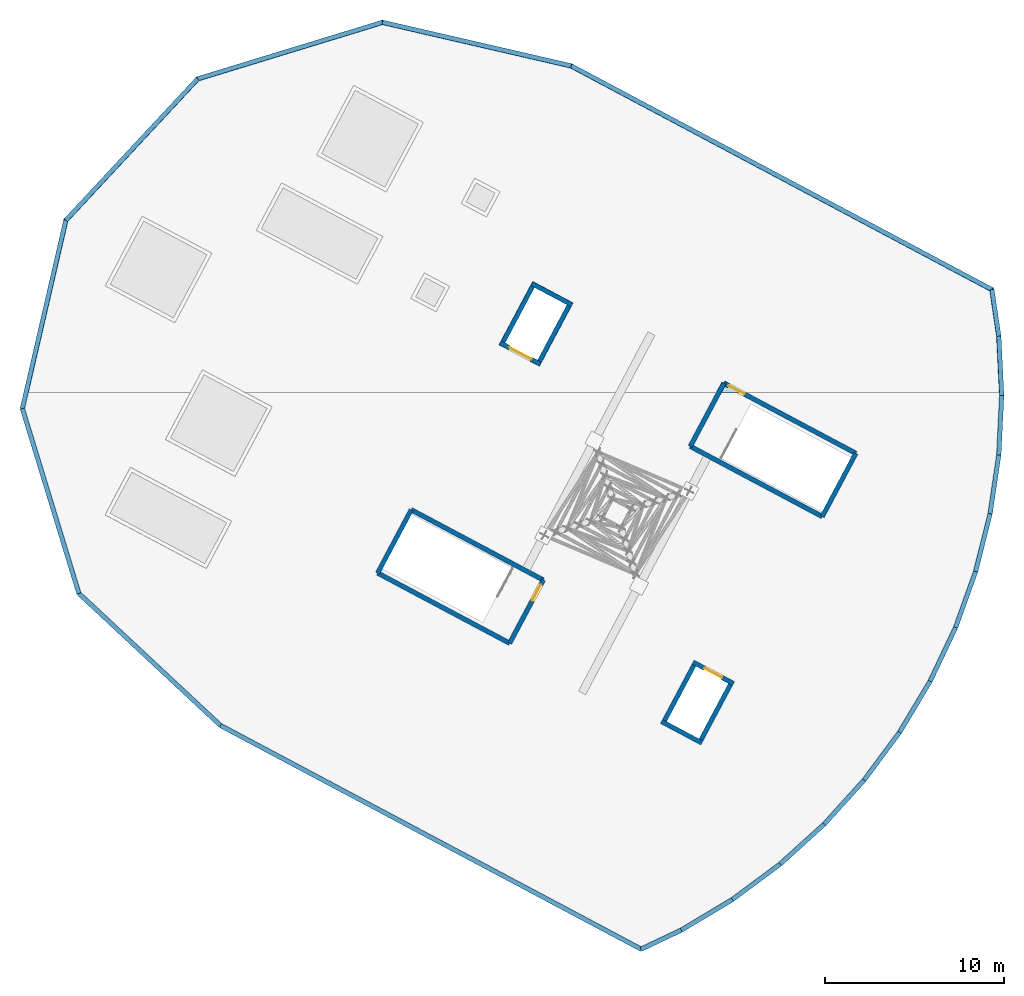
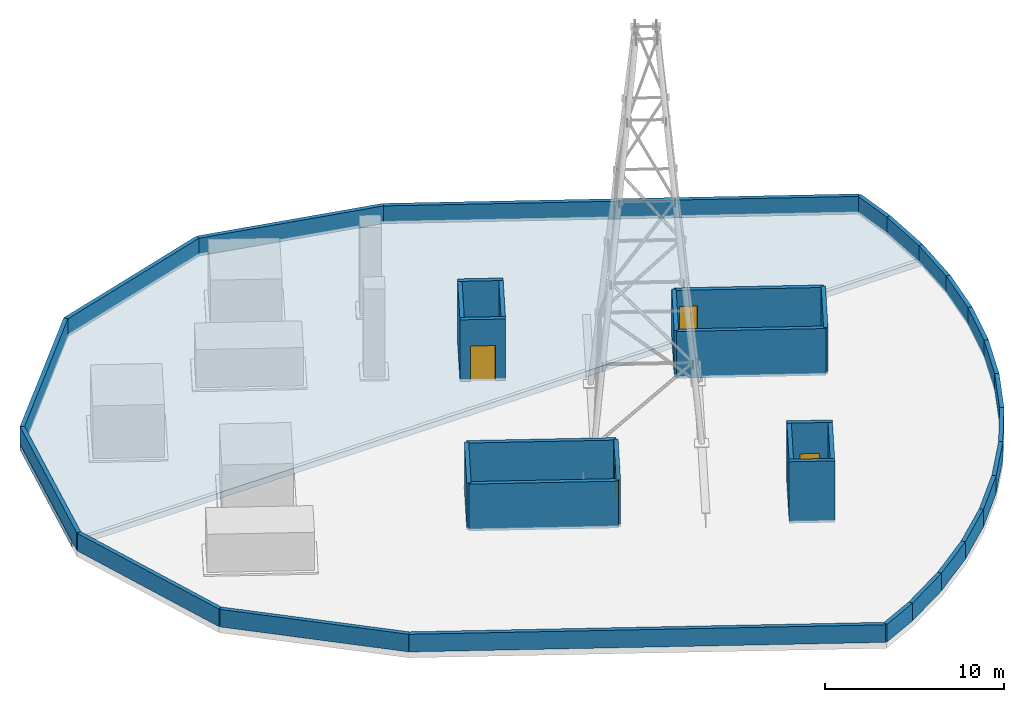
# One storey, part 2 of 5: 38 walls, 4 doors, 1 slab, 4 openings.
"""IFC4 building model written with IfcOpenShell, lengths in metres."""

from ifc_helpers import new_model, si_unit, direction, frame, frame_2d, origin, place, context, subcontext, project, spatial, polyline, rectangle, outline, extrude, material, layer, layer_set, type_object, element, fill, save


model = new_model("IFC4")

# Units and contexts
model_context = context("Model", 3, precision=1e-05, world=origin(), true_north=direction((0.0, 1.0)))
body_context = subcontext(model_context, "Body", "Model", "MODEL_VIEW")
ifc_project = project(units=[si_unit("LENGTHUNIT", "METRE"), si_unit("AREAUNIT", "SQUARE_METRE"), si_unit("VOLUMEUNIT", "CUBIC_METRE"), si_unit("PLANEANGLEUNIT", "RADIAN"), si_unit("MASSUNIT", "GRAM", prefix="KILO")], contexts=[model_context])

# Site, building, storey
site_placement = place(None, origin())
site = spatial("IfcSite", under=ifc_project, at=site_placement, CompositionType="ELEMENT")
building_placement = place(site_placement, origin())
building = spatial("IfcBuilding", under=site, at=building_placement, Name="Cormorant Relay Tower", CompositionType="ELEMENT")
storey_placement = place(building_placement, frame((0.0, 0.0, 357.60009765625)))
storey = spatial("IfcBuildingStorey", under=building, at=storey_placement, Name="RF", CompositionType="ELEMENT", Elevation=357.60009765625)

# Slab
ifc_material_1 = material(Name="Concrete 40 MPa", Category="concrete")
ifc_layer_1 = layer(ifc_material_1, 0.400146484375)
ifc_layer_set_1 = layer_set([ifc_layer_1], Name="Crown terrace roof slab 400")
slab_type = type_object("IfcSlabType", Name="Crown terrace roof slab 400", PredefinedType="ROOF", material=ifc_layer_set_1)
slab_placement = place(storey_placement, frame((0.0, 0.0, -0.400390625)))
element("IfcSlab", 1, at=slab_placement, inside=storey, type_object=slab_type, Name="Roof RF", PredefinedType="ROOF", context=body_context, shape_type="SweptSolid", body=[
    extrude(outline(polyline([(-60.510498046875, 21.300048828125), (-5.7412109375, 21.300048828125), (-5.896484375, 24.458740234375), (-6.29248046875, 27.1298828125), (-29.873779296875, 39.668212890625), (-40.465576171875, 42.11328125), (-50.86083984375, 38.935302734375), (-58.2744140625, 30.985107421875), (-60.510498046875, 21.300048828125)]), holes=[polyline([(-29.986083984375, 26.250244140625), (-32.01708984375, 27.330078125), (-33.777587890625, 24.01904296875), (-31.74658203125, 22.939208984375), (-29.986083984375, 26.250244140625)])]), origin(), (0.0, 0.0, 1.0), 0.400390625),
])

# Wall, opening, door
ifc_material_2 = material(Name="Bronze cladding on Concrete 30 MPa block wall", Category="concrete")
ifc_layer_2 = layer(ifc_material_2, 0.25)
ifc_layer_set_2 = layer_set([ifc_layer_2], Name="Crown wall 250")
wall_type_1 = type_object("IfcWallType", Name="Crown wall 250", PredefinedType="STANDARD", material=ifc_layer_set_2)
wall_1_placement = place(storey_placement, frame((-21.385009765625, 21.818603515625, 0.0), z_axis=(0.0, 0.0, 1.0), x_axis=(0.882948721512, -0.469469440091, 0.0)))
wall_1 = element("IfcWall", 2, at=wall_1_placement, inside=storey, type_object=wall_type_1, Name="Stair head-house wall", PredefinedType="STANDARD", context=body_context, shape_type="SweptSolid", body=[
    extrude(rectangle(XDim=8.35009765625, YDim=0.25, at=frame_2d((4.175048828125, 0.0))), origin(), (0.0, 0.0, 1.0), 3.19970703125),
])
opening_1_placement = place(wall_1_placement, frame((0.300048828125, 0.0, 0.0)))
opening_1 = element("IfcOpeningElement", 3, at=opening_1_placement, cuts=wall_1, Name="Opening CRD1-016", PredefinedType="OPENING", context=body_context, shape_type="SweptSolid", body=[
    extrude(rectangle(XDim=1.0, YDim=2.10009765625, at=frame_2d((0.5, 1.050048828125))), frame((0.0, 0.135009765625, 0.0), z_axis=(0.0, -1.0, 0.0), x_axis=(1.0, 0.0, 0.0)), (0.0, 0.0, 1.0), 0.27001953125),
])
ifc_material_3 = material(Name="Galvanised sheet steel ASTM A653 framed door leaf", Category="steel")
door_type_1 = type_object("IfcDoorType", Name="Crown door single 1000", OperationType="SINGLE_SWING_LEFT", PredefinedType="DOOR", material=ifc_material_3)
door_1_placement = place(opening_1_placement, origin())
door_1 = element("IfcDoor", 4, at=door_1_placement, inside=storey, type_object=door_type_1, Name="Roof access door", OperationType="SINGLE_SWING_RIGHT", OverallHeight=2.10009765625, OverallWidth=1.0, PredefinedType="DOOR", context=body_context, shape_type="SweptSolid", body=[
    extrude(rectangle(XDim=1.0, YDim=2.10009765625, at=frame_2d((0.5, 1.050048828125))), frame((0.0, 0.02490234375, 0.0), z_axis=(0.0, -1.0, 0.0), x_axis=(1.0, 0.0, 0.0)), (0.0, 0.0, 1.0), 0.050048828125),
])
fill(opening_1, door_1)

# Walls
wall_2_placement = place(storey_placement, frame((-14.01220703125, 17.8984375, 0.0), z_axis=(0.0, 0.0, 1.0), x_axis=(-0.469485426614, -0.882940221191, 0.0)))
element("IfcWall", 5, at=wall_2_placement, inside=storey, type_object=wall_type_1, Name="Stair head-house wall", PredefinedType="STANDARD", context=body_context, shape_type="SweptSolid", body=[
    extrude(rectangle(XDim=4.0, YDim=0.25, at=frame_2d((2.0, 0.0))), origin(), (0.0, 0.0, 1.0), 3.19970703125),
])
wall_3_placement = place(storey_placement, frame((-15.89013671875, 14.36669921875, 0.0), z_axis=(0.0, 0.0, 1.0), x_axis=(-0.882960840913, 0.469446645972, 0.0)))
element("IfcWall", 6, at=wall_3_placement, inside=storey, type_object=wall_type_1, Name="Stair head-house wall", PredefinedType="STANDARD", context=body_context, shape_type="SweptSolid", body=[
    extrude(rectangle(XDim=8.35009765625, YDim=0.25, at=frame_2d((4.175048828125, 0.0))), origin(), (0.0, 0.0, 1.0), 3.19970703125),
])
wall_4_placement = place(storey_placement, frame((-23.262939453125, 18.28662109375, 0.0), z_axis=(0.0, 0.0, 1.0), x_axis=(0.469460126868, 0.882953673349, 0.0)))
element("IfcWall", 7, at=wall_4_placement, inside=storey, type_object=wall_type_1, Name="Stair head-house wall", PredefinedType="STANDARD", context=body_context, shape_type="SweptSolid", body=[
    extrude(rectangle(XDim=4.000244140625, YDim=0.25, at=frame_2d((2.0, 0.0))), origin(), (0.0, 0.0, 1.0), 3.19970703125),
])
wall_5_placement = place(storey_placement, frame((-38.8525390625, 14.740478515625, 0.0), z_axis=(0.0, 0.0, 1.0), x_axis=(0.882960840913, -0.469446645972, 0.0)))
element("IfcWall", 8, at=wall_5_placement, inside=storey, type_object=wall_type_1, Name="Stair head-house wall", PredefinedType="STANDARD", context=body_context, shape_type="SweptSolid", body=[
    extrude(rectangle(XDim=8.35009765625, YDim=0.25, at=frame_2d((4.175048828125, 0.0))), origin(), (0.0, 0.0, 1.0), 3.19970703125),
])

# Wall, opening, door
wall_6_placement = place(storey_placement, frame((-31.479736328125, 10.820556640625, 0.0), z_axis=(0.0, 0.0, 1.0), x_axis=(-0.46950770601, -0.882928374217, 0.0)))
wall_6 = element("IfcWall", 9, at=wall_6_placement, inside=storey, type_object=wall_type_1, Name="Stair head-house wall", PredefinedType="STANDARD", context=body_context, shape_type="SweptSolid", body=[
    extrude(rectangle(XDim=4.000244140625, YDim=0.25, at=frame_2d((2.0, 0.0))), origin(), (0.0, 0.0, 1.0), 3.19970703125),
])
opening_2_placement = place(wall_6_placement, frame((0.300048828125, 0.0, 0.0)))
opening_2 = element("IfcOpeningElement", 10, at=opening_2_placement, cuts=wall_6, Name="Opening CRD1-017", PredefinedType="OPENING", context=body_context, shape_type="SweptSolid", body=[
    extrude(rectangle(XDim=1.0, YDim=2.10009765625, at=frame_2d((0.5, 1.050048828125))), frame((0.0, 0.135009765625, 0.0), z_axis=(0.0, -1.0, 0.0), x_axis=(1.0, 0.0, 0.0)), (0.0, 0.0, 1.0), 0.27001953125),
])
door_2_placement = place(opening_2_placement, origin())
door_2 = element("IfcDoor", 11, at=door_2_placement, inside=storey, type_object=door_type_1, Name="Roof access door", OperationType="SINGLE_SWING_LEFT", OverallHeight=2.10009765625, OverallWidth=1.0, PredefinedType="DOOR", context=body_context, shape_type="SweptSolid", body=[
    extrude(rectangle(XDim=1.0, YDim=2.10009765625, at=frame_2d((0.5, 1.050048828125))), frame((0.0, 0.02490234375, 0.0), z_axis=(0.0, -1.0, 0.0), x_axis=(1.0, 0.0, 0.0)), (0.0, 0.0, 1.0), 0.050048828125),
])
fill(opening_2, door_2)

# Walls
wall_7_placement = place(storey_placement, frame((-33.35791015625, 7.28857421875, 0.0), z_axis=(0.0, 0.0, 1.0), x_axis=(-0.882942277232, 0.469481559889, 0.0)))
element("IfcWall", 12, at=wall_7_placement, inside=storey, type_object=wall_type_1, Name="Stair head-house wall", PredefinedType="STANDARD", context=body_context, shape_type="SweptSolid", body=[
    extrude(rectangle(XDim=8.35009765625, YDim=0.25, at=frame_2d((4.175048828125, 0.0))), origin(), (0.0, 0.0, 1.0), 3.19970703125),
])
wall_8_placement = place(storey_placement, frame((-40.73046875, 11.208740234375, 0.0), z_axis=(0.0, 0.0, 1.0), x_axis=(0.469485426614, 0.882940221191, 0.0)))
element("IfcWall", 13, at=wall_8_placement, inside=storey, type_object=wall_type_1, Name="Stair head-house wall", PredefinedType="STANDARD", context=body_context, shape_type="SweptSolid", body=[
    extrude(rectangle(XDim=4.0, YDim=0.25, at=frame_2d((2.0, 0.0))), origin(), (0.0, 0.0, 1.0), 3.19970703125),
])

# Wall, opening, door
ifc_material_4 = material(Name="Concrete 50 MPa", Category="concrete")
ifc_layer_3 = layer(ifc_material_4, 0.25)
ifc_layer_set_3 = layer_set([ifc_layer_3], Name="Lift overrun wall 250")
wall_type_2 = type_object("IfcWallType", Name="Lift overrun wall 250", PredefinedType="SOLIDWALL", material=ifc_layer_set_3)
wall_9_placement = place(storey_placement, frame((-20.85498046875, 5.029541015625, 0.0), z_axis=(0.0, 0.0, 1.0), x_axis=(-0.882964435156, 0.469439885661, 0.0)))
wall_9 = element("IfcWall", 14, at=wall_9_placement, inside=storey, type_object=wall_type_2, Name="Lift overrun wall", PredefinedType="SOLIDWALL", context=body_context, shape_type="SweptSolid", body=[
    extrude(rectangle(XDim=2.5498046875, YDim=0.25, at=frame_2d((1.27490234375, 0.0))), origin(), (0.0, 0.0, 1.0), 4.199951171875),
])
opening_3_placement = place(wall_9_placement, frame((0.72509765625, 0.0, 0.0)))
opening_3 = element("IfcOpeningElement", 15, at=opening_3_placement, cuts=wall_9, Name="Opening LD1-070", PredefinedType="OPENING", context=body_context, shape_type="SweptSolid", body=[
    extrude(rectangle(XDim=1.10009765625, YDim=2.10009765625, at=frame_2d((0.550048828125, 1.050048828125))), frame((0.0, 0.135009765625, 0.0), z_axis=(0.0, -1.0, 0.0), x_axis=(1.0, 0.0, 0.0)), (0.0, 0.0, 1.0), 0.27001953125),
])
ifc_material_5 = material(Name="Stainless steel 316", Category="steel")
door_type_2 = type_object("IfcDoorType", Name="Lift landing door 1100x2100", OperationType="DOUBLE_DOOR_SLIDING", PredefinedType="DOOR", material=ifc_material_5)
door_3_placement = place(opening_3_placement, origin())
door_3 = element("IfcDoor", 16, at=door_3_placement, inside=storey, type_object=door_type_2, Name="FF1 landing door", OperationType="DOUBLE_DOOR_SLIDING", OverallHeight=2.10009765625, OverallWidth=1.10009765625, PredefinedType="DOOR", context=body_context, shape_type="SweptSolid", body=[
    extrude(rectangle(XDim=1.10009765625, YDim=2.10009765625, at=frame_2d((0.550048828125, 1.050048828125))), frame((0.0, 0.02490234375, 0.0), z_axis=(0.0, -1.0, 0.0), x_axis=(1.0, 0.0, 0.0)), (0.0, 0.0, 1.0), 0.050048828125),
])
fill(opening_3, door_3)

# Walls
wall_10_placement = place(storey_placement, frame((-22.615478515625, 1.718505859375, 0.0), z_axis=(0.0, 0.0, 1.0), x_axis=(-0.882964435156, 0.469439885661, 0.0)))
element("IfcWall", 17, at=wall_10_placement, inside=storey, type_object=wall_type_2, Name="Lift overrun wall", PredefinedType="SOLIDWALL", context=body_context, shape_type="SweptSolid", body=[
    extrude(rectangle(XDim=2.5498046875, YDim=0.25, at=frame_2d((1.27490234375, 0.0))), origin(), (0.0, 0.0, 1.0), 4.199951171875),
])
for number, where, z_axis, x_axis, name in (
    (18, (-21.02392578125, 4.977783203125, 0.0), (0.0, 0.0, 1.0), (-0.469451007504, -0.882958521989, 0.0), "Lift overrun wall"),
    (19, (-23.0546875, 6.0576171875, 0.0), (0.0, 0.0, 1.0), (-0.469505386913, -0.88292960742, 0.0), "Lift overrun wall"),
):
    element("IfcWall", number, at=place(storey_placement, frame(where, z_axis=z_axis, x_axis=x_axis)), inside=storey, type_object=wall_type_2, Name=name, PredefinedType="SOLIDWALL", context=body_context, shape_type="SweptSolid", body=[
        extrude(rectangle(XDim=3.5, YDim=0.25, at=frame_2d((1.75, 0.0))), origin(), (0.0, 0.0, 1.0), 4.199951171875),
    ])
wall_11_placement = place(storey_placement, frame((-29.875732421875, 26.191650390625, 0.0), z_axis=(0.0, 0.0, 1.0), x_axis=(-0.882985532267, 0.46940020218, 0.0)))
element("IfcWall", 20, at=wall_11_placement, inside=storey, type_object=wall_type_2, Name="Lift overrun wall", PredefinedType="SOLIDWALL", context=body_context, shape_type="SweptSolid", body=[
    extrude(rectangle(XDim=2.550048828125, YDim=0.25, at=frame_2d((1.27490234375, 0.0))), origin(), (0.0, 0.0, 1.0), 4.199951171875),
])

# Wall, opening, door
wall_12_placement = place(storey_placement, frame((-31.63623046875, 22.880615234375, 0.0), z_axis=(0.0, 0.0, 1.0), x_axis=(-0.882985532267, 0.46940020218, 0.0)))
wall_12 = element("IfcWall", 21, at=wall_12_placement, inside=storey, type_object=wall_type_2, Name="Lift overrun wall", PredefinedType="SOLIDWALL", context=body_context, shape_type="SweptSolid", body=[
    extrude(rectangle(XDim=2.550048828125, YDim=0.25, at=frame_2d((1.27490234375, 0.0))), origin(), (0.0, 0.0, 1.0), 4.199951171875),
])
opening_4_placement = place(wall_12_placement, frame((0.574951171875, 0.0, 0.0)))
opening_4 = element("IfcOpeningElement", 22, at=opening_4_placement, cuts=wall_12, Name="Opening LD3-018", PredefinedType="OPENING", context=body_context, shape_type="SweptSolid", body=[
    extrude(rectangle(XDim=1.39990234375, YDim=2.39990234375, at=frame_2d((0.699951171875, 1.199951171875))), frame((0.0, 0.135009765625, 0.0), z_axis=(0.0, -1.0, 0.0), x_axis=(1.0, 0.0, 0.0)), (0.0, 0.0, 1.0), 0.27001953125),
])
ifc_material_6 = material(Name="Stainless steel 316", Category="steel")
door_type_3 = type_object("IfcDoorType", Name="Lift landing door 1400x2400", OperationType="DOUBLE_DOOR_SLIDING", PredefinedType="DOOR", material=ifc_material_6)
door_4_placement = place(opening_4_placement, origin())
door_4 = element("IfcDoor", 23, at=door_4_placement, inside=storey, type_object=door_type_3, Name="SV1 landing door", OperationType="DOUBLE_DOOR_SLIDING", OverallHeight=2.39990234375, OverallWidth=1.39990234375, PredefinedType="DOOR", context=body_context, shape_type="SweptSolid", body=[
    extrude(rectangle(XDim=1.39990234375, YDim=2.39990234375, at=frame_2d((0.699951171875, 1.199951171875))), frame((0.0, 0.02490234375, 0.0), z_axis=(0.0, -1.0, 0.0), x_axis=(1.0, 0.0, 0.0)), (0.0, 0.0, 1.0), 0.050048828125),
])
fill(opening_4, door_4)

# Walls
for number, where, z_axis, x_axis, name in (
    (24, (-30.044921875, 26.139892578125, 0.0), (0.0, 0.0, 1.0), (-0.469451007504, -0.882958521989, 0.0), "Lift overrun wall"),
    (25, (-32.07568359375, 27.2197265625, 0.0), (0.0, 0.0, 1.0), (-0.469451007504, -0.882958521989, 0.0), "Lift overrun wall"),
):
    element("IfcWall", number, at=place(storey_placement, frame(where, z_axis=z_axis, x_axis=x_axis)), inside=storey, type_object=wall_type_2, Name=name, PredefinedType="SOLIDWALL", context=body_context, shape_type="SweptSolid", body=[
        extrude(rectangle(XDim=3.5, YDim=0.25, at=frame_2d((1.75, 0.0))), origin(), (0.0, 0.0, 1.0), 4.199951171875),
    ])
ifc_material_7 = material(Name="Bronze cladding on Concrete 30 MPa block wall", Category="concrete")
ifc_layer_4 = layer(ifc_material_7, 0.25)
ifc_layer_set_4 = layer_set([ifc_layer_4], Name="Parapet 250")
wall_type_3 = type_object("IfcWallType", Name="Parapet 250", PredefinedType="PARAPET", material=ifc_layer_set_4)
for number, where, z_axis, x_axis, name in (
    (26, (-57.431884765625, 10.06640625, 0.0), (0.0, 0.0, 1.0), (-0.292379862982, 0.956302261695, 0.0), "Roof parapet"),
    (27, (-60.590576171875, 20.397705078125, 0.0), (0.0, 0.0, 1.0), (0.224943678254, 0.97437176766, 0.0), "Roof parapet"),
    (28, (-58.160400390625, 30.92431640625, 0.0), (0.0, 0.0, 1.0), (0.681998532518, 0.731353540802, 0.0), "Roof parapet"),
):
    element("IfcWall", number, at=place(storey_placement, frame(where, z_axis=z_axis, x_axis=x_axis)), inside=storey, type_object=wall_type_3, Name=name, PredefinedType="PARAPET", context=body_context, shape_type="SweptSolid", body=[
        extrude(rectangle(XDim=10.803466796875, YDim=0.25, at=frame_2d((5.40185546875, 0.0))), origin(), (0.0, 0.0, 1.0), 1.199951171875),
    ])
wall_13_placement = place(storey_placement, frame((-50.79248046875, 38.825439453125, 0.0), z_axis=(0.0, 0.0, 1.0), x_axis=(0.95630419349, 0.292373544482, 0.0)))
element("IfcWall", 29, at=wall_13_placement, inside=storey, type_object=wall_type_3, Name="Roof parapet", PredefinedType="PARAPET", context=body_context, shape_type="SweptSolid", body=[
    extrude(rectangle(XDim=10.8037109375, YDim=0.25, at=frame_2d((5.40185546875, 0.0))), origin(), (0.0, 0.0, 1.0), 1.199951171875),
])
wall_14_placement = place(storey_placement, frame((-40.4609375, 41.984130859375, 0.0), z_axis=(0.0, 0.0, 1.0), x_axis=(0.974369134847, -0.224955082309, 0.0)))
element("IfcWall", 30, at=wall_14_placement, inside=storey, type_object=wall_type_3, Name="Roof parapet", PredefinedType="PARAPET", context=body_context, shape_type="SweptSolid", body=[
    extrude(rectangle(XDim=10.8203125, YDim=0.25, at=frame_2d((5.41015625, 0.0))), origin(), (0.0, 0.0, 1.0), 1.199951171875),
])
wall_15_placement = place(storey_placement, frame((-29.91796875, 39.550048828125, 0.0), z_axis=(0.0, 0.0, 1.0), x_axis=(0.882948162862, -0.469470490765, 0.0)))
element("IfcWall", 31, at=wall_15_placement, inside=storey, type_object=wall_type_3, Name="Roof parapet", PredefinedType="PARAPET", context=body_context, shape_type="SweptSolid", body=[
    extrude(rectangle(XDim=26.6279296875, YDim=0.25, at=frame_2d((13.31396484375, 0.0))), origin(), (0.0, 0.0, 1.0), 1.199951171875),
])
wall_16_placement = place(storey_placement, frame((-6.406982421875, 27.049072265625, 0.0), z_axis=(0.0, 0.0, 1.0), x_axis=(0.146706719768, -0.989180033348, 0.0)))
element("IfcWall", 32, at=wall_16_placement, inside=storey, type_object=wall_type_3, Name="Roof parapet", PredefinedType="PARAPET", context=body_context, shape_type="SweptSolid", body=[
    extrude(rectangle(XDim=2.631103515625, YDim=0.25, at=frame_2d((1.3154296875, 0.0))), origin(), (0.0, 0.0, 1.0), 1.199951171875),
])
for number, where, z_axis, x_axis, name in (
    (33, (-6.02099609375, 24.446533203125, 0.0), (0.0, 0.0, 1.0), (0.049058504826, -0.998795906632, 0.0), "Roof parapet"),
    (34, (-5.85791015625, 21.126220703125, 0.0), (0.0, 0.0, 1.0), (-0.049058504826, -0.998795906632, 0.0), "Roof parapet"),
    (35, (-6.02099609375, 17.805908203125, 0.0), (0.0, 0.0, 1.0), (-0.146734971714, -0.989175842849, 0.0), "Roof parapet"),
    (36, (-6.5087890625, 14.517578125, 0.0), (0.0, 0.0, 1.0), (-0.242950341347, -0.970038726876, 0.0), "Roof parapet"),
):
    element("IfcWall", number, at=place(storey_placement, frame(where, z_axis=z_axis, x_axis=x_axis)), inside=storey, type_object=wall_type_3, Name=name, PredefinedType="PARAPET", context=body_context, shape_type="SweptSolid", body=[
        extrude(rectangle(XDim=3.32421875, YDim=0.25, at=frame_2d((1.662109375, 0.0))), origin(), (0.0, 0.0, 1.0), 1.199951171875),
    ])
wall_17_placement = place(storey_placement, frame((-7.31640625, 11.29296875, 0.0), z_axis=(0.0, 0.0, 1.0), x_axis=(-0.336862044072, -0.941554015054, 0.0)))
element("IfcWall", 37, at=wall_17_placement, inside=storey, type_object=wall_type_3, Name="Roof parapet", PredefinedType="PARAPET", context=body_context, shape_type="SweptSolid", body=[
    extrude(rectangle(XDim=3.324462890625, YDim=0.25, at=frame_2d((1.662109375, 0.0))), origin(), (0.0, 0.0, 1.0), 1.199951171875),
])
for number, where, z_axis, x_axis, name in (
    (38, (-8.436279296875, 8.162841796875, 0.0), (0.0, 0.0, 1.0), (-0.427571692054, -0.903981442373, 0.0), "Roof parapet"),
    (39, (-9.857666015625, 5.15771484375, 0.0), (0.0, 0.0, 1.0), (-0.514096087054, -0.857732600101, 0.0), "Roof parapet"),
):
    element("IfcWall", number, at=place(storey_placement, frame(where, z_axis=z_axis, x_axis=x_axis)), inside=storey, type_object=wall_type_3, Name=name, PredefinedType="PARAPET", context=body_context, shape_type="SweptSolid", body=[
        extrude(rectangle(XDim=3.32421875, YDim=0.25, at=frame_2d((1.662109375, 0.0))), origin(), (0.0, 0.0, 1.0), 1.199951171875),
    ])
wall_18_placement = place(storey_placement, frame((-11.566650390625, 2.306396484375, 0.0), z_axis=(0.0, 0.0, 1.0), x_axis=(-0.595726213548, -0.803187573666, 0.0)))
element("IfcWall", 40, at=wall_18_placement, inside=storey, type_object=wall_type_3, Name="Roof parapet", PredefinedType="PARAPET", context=body_context, shape_type="SweptSolid", body=[
    extrude(rectangle(XDim=3.324462890625, YDim=0.25, at=frame_2d((1.662109375, 0.0))), origin(), (0.0, 0.0, 1.0), 1.199951171875),
])
for number, where, z_axis, x_axis, name in (
    (41, (-13.547119140625, -0.36376953125, 0.0), (0.0, 0.0, 1.0), (-0.671553447553, -0.740956116838, 0.0), "Roof parapet"),
    (42, (-15.779541015625, -2.826904296875, 0.0), (0.0, 0.0, 1.0), (-0.740956116838, -0.671553447553, 0.0), "Roof parapet"),
):
    element("IfcWall", number, at=place(storey_placement, frame(where, z_axis=z_axis, x_axis=x_axis)), inside=storey, type_object=wall_type_3, Name=name, PredefinedType="PARAPET", context=body_context, shape_type="SweptSolid", body=[
        extrude(rectangle(XDim=3.32421875, YDim=0.25, at=frame_2d((1.662109375, 0.0))), origin(), (0.0, 0.0, 1.0), 1.199951171875),
    ])
wall_19_placement = place(storey_placement, frame((-18.24267578125, -5.059326171875, 0.0), z_axis=(0.0, 0.0, 1.0), x_axis=(-0.803187573666, -0.595726213548, 0.0)))
element("IfcWall", 43, at=wall_19_placement, inside=storey, type_object=wall_type_3, Name="Roof parapet", PredefinedType="PARAPET", context=body_context, shape_type="SweptSolid", body=[
    extrude(rectangle(XDim=3.324462890625, YDim=0.25, at=frame_2d((1.662109375, 0.0))), origin(), (0.0, 0.0, 1.0), 1.199951171875),
])
wall_20_placement = place(storey_placement, frame((-20.912841796875, -7.039794921875, 0.0), z_axis=(0.0, 0.0, 1.0), x_axis=(-0.857732600101, -0.514096087054, 0.0)))
element("IfcWall", 44, at=wall_20_placement, inside=storey, type_object=wall_type_3, Name="Roof parapet", PredefinedType="PARAPET", context=body_context, shape_type="SweptSolid", body=[
    extrude(rectangle(XDim=3.32421875, YDim=0.25, at=frame_2d((1.662109375, 0.0))), origin(), (0.0, 0.0, 1.0), 1.199951171875),
])
wall_21_placement = place(storey_placement, frame((-23.76416015625, -8.748779296875, 0.0), z_axis=(0.0, 0.0, 1.0), x_axis=(-0.903993609389, -0.427545967334, 0.0)))
element("IfcWall", 45, at=wall_21_placement, inside=storey, type_object=wall_type_3, Name="Roof parapet", PredefinedType="PARAPET", context=body_context, shape_type="SweptSolid", body=[
    extrude(rectangle(XDim=2.486328125, YDim=0.25, at=frame_2d((1.2431640625, 0.0))), origin(), (0.0, 0.0, 1.0), 1.199951171875),
])
wall_22_placement = place(storey_placement, frame((-26.01171875, -9.811767578125, 0.0), z_axis=(0.0, 0.0, 1.0), x_axis=(-0.882945993312, 0.469474571083, 0.0)))
element("IfcWall", 46, at=wall_22_placement, inside=storey, type_object=wall_type_3, Name="Roof parapet", PredefinedType="PARAPET", context=body_context, shape_type="SweptSolid", body=[
    extrude(rectangle(XDim=26.622802734375, YDim=0.25, at=frame_2d((13.3115234375, 0.0))), origin(), (0.0, 0.0, 1.0), 1.199951171875),
])
wall_23_placement = place(storey_placement, frame((-49.518310546875, 2.68701171875, 0.0), z_axis=(0.0, 0.0, 1.0), x_axis=(-0.731359823822, 0.681991794745, 0.0)))
element("IfcWall", 47, at=wall_23_placement, inside=storey, type_object=wall_type_3, Name="Roof parapet", PredefinedType="PARAPET", context=body_context, shape_type="SweptSolid", body=[
    extrude(rectangle(XDim=10.8203125, YDim=0.25, at=frame_2d((5.41015625, 0.0))), origin(), (0.0, 0.0, 1.0), 1.199951171875),
])

save(model, "model.ifc")
